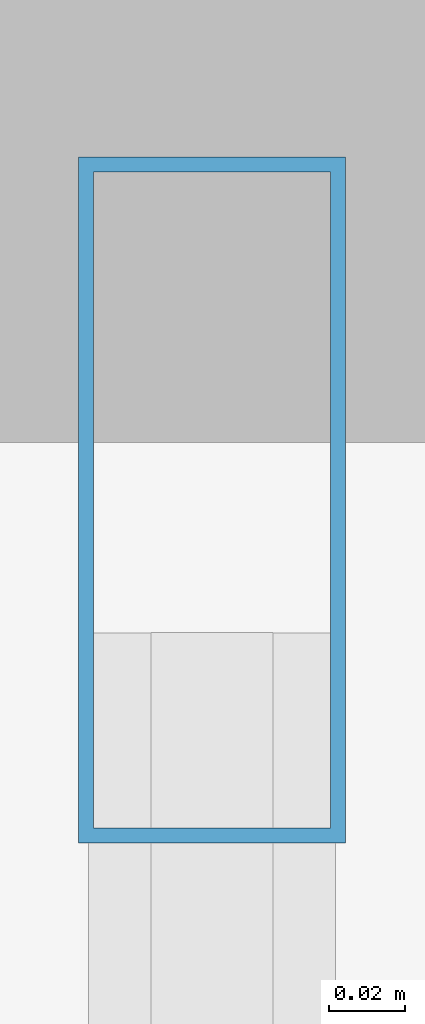
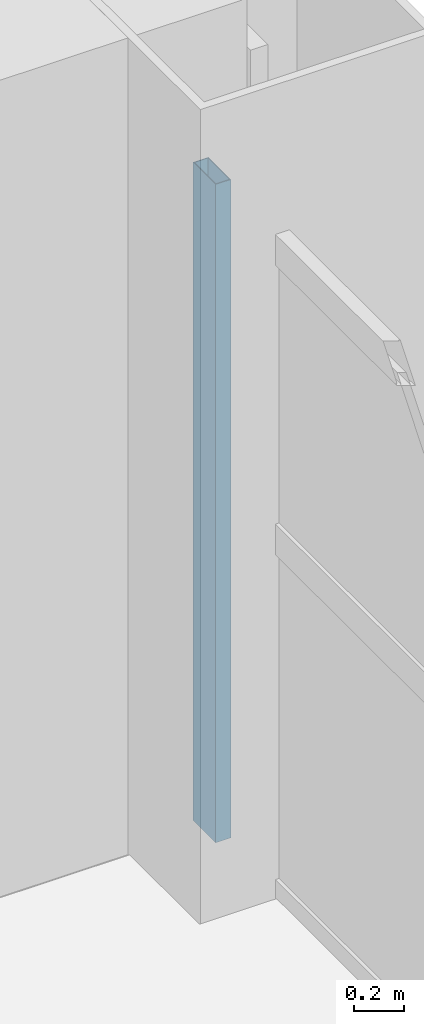
# One storey, part 10 of 16: 1 member, 1 element without a shape of its own.
"""IFC4 building model written with IfcOpenShell, lengths in metres."""

import ifcopenshell
import ifcopenshell.guid

model = None  # the IFC model being written
_history = None  # IfcOwnerHistory: only IFC2X3 demands one
_inside = {}  # id of a spatial element -> (the spatial element, [elements in it])
_under = {}  # id of a project, library or spatial element -> (it, [spatial elements below it])
_declared = {}  # id of a project -> (the project, [libraries it declares])
_typed = {}  # id of a type object -> (the type object, [elements of that type])
_made_of = {}  # id of a material, layer set ... -> (it, [elements and type objects made of it])


def new_model(schema):
    """Start an empty IFC model of exactly this schema.

    Asked for "IFC4X3", IfcOpenShell would pick the latest addendum, in which some entities
    have other attributes; the version numbers below select the first issue.
    IFC2X3 requires an IfcOwnerHistory on every rooted entity: one is made here for all.
    """
    global model, _history
    if schema == "IFC4X3":
        model = ifcopenshell.file(schema_version=(4, 3, 0, 0))
    else:
        model = ifcopenshell.file(schema=schema)
    _inside.clear()
    _under.clear()
    _declared.clear()
    _typed.clear()
    _made_of.clear()
    _history = None
    if model.schema == "IFC2X3":
        org = make("IfcOrganization", Name="unknown")
        user = make(
            "IfcPersonAndOrganization",
            ThePerson=make("IfcPerson", FamilyName="unknown"),
            TheOrganization=org,
        )
        app = make(
            "IfcApplication",
            ApplicationDeveloper=org,
            Version="unknown",
            ApplicationFullName="unknown",
            ApplicationIdentifier="unknown",
        )
        _history = make(
            "IfcOwnerHistory",
            OwningUser=user,
            OwningApplication=app,
            ChangeAction="ADDED",
            CreationDate=0,
        )
    return model


def make(cls, **values):
    """One entity of the class cls with the attributes given. An attribute that is None is left unset."""
    return model.create_entity(
        cls, **{name: value for name, value in values.items() if value is not None}
    )


def rooted(cls, **values):
    """An entity with a GlobalId (a new one), such as an element, a storey or a relation."""
    return make(cls, GlobalId=ifcopenshell.guid.new(), OwnerHistory=_history, **values)


def si_unit(unit_type, name, prefix=None):
    """IfcSIUnit, for example si_unit("LENGTHUNIT", "METRE", prefix="MILLI")."""
    return make("IfcSIUnit", UnitType=unit_type, Prefix=prefix, Name=name)


def assignment(units):
    """IfcUnitAssignment: the units of a project."""
    return None if units is None else make("IfcUnitAssignment", Units=units)


def point(xyz):
    """IfcCartesianPoint."""
    return None if xyz is None else make("IfcCartesianPoint", Coordinates=xyz)


def direction(xyz):
    """IfcDirection."""
    return None if xyz is None else make("IfcDirection", DirectionRatios=xyz)


def frame(location, z_axis=None, x_axis=None):
    """IfcAxis2Placement3D, a coordinate frame: its origin and axes. An axis left out is left unset."""
    return make(
        "IfcAxis2Placement3D",
        Location=point(location),
        Axis=direction(z_axis),
        RefDirection=direction(x_axis),
    )


def frame_2d(location, x_axis=None):
    """IfcAxis2Placement2D, a coordinate frame in the plane: its origin and x axis."""
    return make(
        "IfcAxis2Placement2D", Location=point(location), RefDirection=direction(x_axis)
    )


def origin():
    """The frame at (0, 0, 0) with its axes left unset."""
    return frame((0.0, 0.0, 0.0))


def origin_2d():
    """The frame at (0, 0) in the plane with its x axis left unset."""
    return frame_2d((0.0, 0.0))


def place(relative_to, where):
    """IfcLocalPlacement: puts the frame where relative to a parent placement (None: the world)."""
    return make(
        "IfcLocalPlacement", PlacementRelTo=relative_to, RelativePlacement=where
    )


def context(
    kind, dimensions, precision=None, world=None, true_north=None, identifier=None
):
    """IfcGeometricRepresentationContext, for example the 3D "Model" context."""
    return make(
        "IfcGeometricRepresentationContext",
        ContextIdentifier=identifier,
        ContextType=kind,
        CoordinateSpaceDimension=dimensions,
        Precision=precision,
        WorldCoordinateSystem=world,
        TrueNorth=true_north,
    )


def subcontext(parent, identifier, kind, view, scale=None):
    """IfcGeometricRepresentationSubContext, for example "Body" below "Model"."""
    return make(
        "IfcGeometricRepresentationSubContext",
        ContextIdentifier=identifier,
        ContextType=kind,
        ParentContext=parent,
        TargetScale=scale,
        TargetView=view,
    )


def project(units=None, contexts=None):
    """IfcProject with its units and contexts."""
    return rooted(
        "IfcProject",
        Name="project",
        RepresentationContexts=contexts,
        UnitsInContext=assignment(units),
    )


def spatial(cls, under=None, at=None, **own):
    """A site, building, storey or space (cls), placed at a placement, below another one or the project."""
    s = rooted(cls, ObjectPlacement=at, **own)
    if under is not None:
        _under.setdefault(under.id(), (under, []))[1].append(s)
    return s


def profile(cls, at=None, kind="AREA", **sizes):
    """A parametric profile (cls). Its sizes go by their IFC names, for example OverallWidth=200.0."""
    return make(cls, ProfileType=kind, Position=at, **sizes)


def hollow_rectangle(**sizes):
    """IfcRectangleHollowProfileDef."""
    return profile("IfcRectangleHollowProfileDef", **sizes)


def extrude(swept, where, along, depth):
    """IfcExtrudedAreaSolid: the profile swept, set in the frame where, extruded along a direction by depth."""
    return make(
        "IfcExtrudedAreaSolid",
        SweptArea=swept,
        Position=where,
        ExtrudedDirection=direction(along),
        Depth=depth,
    )


def shape(context_of_items, identifier, shape_type, items):
    """IfcShapeRepresentation: the items that make up one representation, for example the "Body"."""
    return make(
        "IfcShapeRepresentation",
        ContextOfItems=context_of_items,
        RepresentationIdentifier=identifier,
        RepresentationType=shape_type,
        Items=items,
    )


def material(Name=None, Category=None):
    """IfcMaterial."""
    return make("IfcMaterial", Name=Name, Category=Category)


def layer(
    of_material, thickness, ventilated=None, Name=None, Category=None, Priority=None
):
    """IfcMaterialLayer: one layer of a wall or slab, of a material (None: an air gap)."""
    return make(
        "IfcMaterialLayer",
        Material=of_material,
        LayerThickness=thickness,
        IsVentilated=ventilated,
        Name=Name,
        Category=Category,
        Priority=Priority,
    )


def layer_set(layers, Name=None):
    """IfcMaterialLayerSet."""
    return make("IfcMaterialLayerSet", MaterialLayers=layers, LayerSetName=Name)


def material_profile(
    of_material, cross_section, Name=None, Category=None, Priority=None
):
    """IfcMaterialProfile: a cross section and its material."""
    return make(
        "IfcMaterialProfile",
        Name=Name,
        Material=of_material,
        Profile=cross_section,
        Priority=Priority,
        Category=Category,
    )


def profile_set(profiles, Name=None, composite=None):
    """IfcMaterialProfileSet."""
    return make(
        "IfcMaterialProfileSet",
        Name=Name,
        MaterialProfiles=profiles,
        CompositeProfile=composite,
    )


def made_of(thing, what):
    """Note that an element or type object is made of a material, layer set ...; save() writes the relation."""
    if what is not None:
        _made_of.setdefault(what.id(), (what, []))[1].append(thing)
    return thing


def type_object(cls, material=None, **own):
    """A type object (cls), such as IfcWallType, which elements share."""
    return made_of(rooted(cls, **own), material)


def element(
    cls,
    number,
    at=None,
    inside=None,
    cuts=None,
    type_object=None,
    material=None,
    context=None,
    identifier="Body",
    shape_type=None,
    held_by="IfcProductDefinitionShape",
    body=None,
    shapes=None,
    **own,
):
    """One element of the class cls, such as IfcWall. Its Tag is "e" and its number.

    at: its placement. inside: the storey or other place that contains it. cuts: it is an
    opening in that element (IfcRelVoidsElement). A single representation is given by context,
    identifier, shape_type and body (its items); several are given by shapes. held_by: the class
    of the entity that holds the representations. save() writes the other relations.
    """
    e = rooted(cls, Tag="e%d" % number, ObjectPlacement=at, **own)
    if body is not None:
        shapes = [shape(context, identifier, shape_type, body)]
    if shapes is not None:
        e.Representation = make(held_by, Representations=shapes)
    if inside is not None:
        _inside.setdefault(inside.id(), (inside, []))[1].append(e)
    if cuts is not None:
        rooted(
            "IfcRelVoidsElement", RelatingBuildingElement=cuts, RelatedOpeningElement=e
        )
    if type_object is not None:
        _typed.setdefault(type_object.id(), (type_object, []))[1].append(e)
    return made_of(e, material)


def aggregate(whole, parts):
    """IfcRelAggregates: a whole, such as a stair, and the parts it consists of."""
    return rooted("IfcRelAggregates", RelatingObject=whole, RelatedObjects=parts)


def save(model, path):
    """Write the relations noted so far, then the file.

    IfcRelAggregates (storeys below a building ...), IfcRelContainedInSpatialStructure (elements
    in a storey), IfcRelDefinesByType, IfcRelAssociatesMaterial and IfcRelDeclares: one each for
    every whole, place, type object, material and project.
    """
    for whole, parts in _under.values():
        aggregate(whole, parts)
    for where, things in _inside.values():
        rooted(
            "IfcRelContainedInSpatialStructure",
            RelatedElements=things,
            RelatingStructure=where,
        )
    for kind, things in _typed.values():
        rooted("IfcRelDefinesByType", RelatedObjects=things, RelatingType=kind)
    for what, things in _made_of.values():
        rooted("IfcRelAssociatesMaterial", RelatedObjects=things, RelatingMaterial=what)
    for by, libraries in _declared.values():
        rooted("IfcRelDeclares", RelatingContext=by, RelatedDefinitions=libraries)
    model.write(path)


model = new_model("IFC4")

# Units and contexts
model_context = context("Model", 3, precision=1e-05, world=origin(), true_north=direction((0.0, 1.0)))
body_context = subcontext(model_context, "Body", "Model", "MODEL_VIEW")
ifc_project = project(units=[si_unit("LENGTHUNIT", "METRE"), si_unit("AREAUNIT", "SQUARE_METRE"), si_unit("VOLUMEUNIT", "CUBIC_METRE"), si_unit("PLANEANGLEUNIT", "RADIAN"), si_unit("MASSUNIT", "GRAM", prefix="KILO")], contexts=[model_context])

# Site, building, storey
site_placement = place(None, origin())
site = spatial("IfcSite", under=ifc_project, at=site_placement, CompositionType="ELEMENT")
building_placement = place(site_placement, origin())
building = spatial("IfcBuilding", under=site, at=building_placement, Name="Qianrong Seaharbour Tower", CompositionType="ELEMENT")
storey_placement = place(building_placement, frame((0.0, 0.0, 123.0)))
storey = spatial("IfcBuildingStorey", under=building, at=storey_placement, Name="L29", CompositionType="ELEMENT", Elevation=123.0)

# Curtain wall, member
ifc_material_1 = material(Name="Anodised aluminium 6063-T6 and laminated low-e glass", Category="aluminium")
ifc_layer = layer(ifc_material_1, 0.195068359375)
ifc_layer_set = layer_set([ifc_layer], Name="Anodised aluminium 6063-T6 and laminated low-e glass")
curtain_wall_type = type_object("IfcCurtainWallType", Name="CW-SYS-3", PredefinedType="NOTDEFINED", material=ifc_layer_set)
curtain_wall_placement = place(storey_placement, origin())
curtain_wall = element("IfcCurtainWall", 1, at=curtain_wall_placement, inside=storey, type_object=curtain_wall_type, Name="L29 Sky-Garden Wintergarden Curtain Wall EAST_WING", PredefinedType="NOTDEFINED")
ifc_material_2 = material(Name="Extruded aluminium 6063-T6", Category="aluminium")
ifc_material_profile = material_profile(ifc_material_2, hollow_rectangle(XDim=0.070068359375, YDim=0.179931640625, WallThickness=0.00390625, at=origin_2d()), Name="ALU-MUL-180x70x4")
ifc_profile_set = profile_set([ifc_material_profile], Name="Extruded aluminium 6063-T6")
member_type = type_object("IfcMemberType", Name="CW-MUL-180", PredefinedType="MULLION", material=ifc_profile_set)
member_placement = place(storey_placement, frame((63.830078125, 36.014892578125, 0.0), z_axis=(0.0, 0.0, 1.0), x_axis=(1.0, 0.0, 0.0)))
member = element("IfcMember", 2, at=member_placement, type_object=member_type, Name="CW-3 mullion 1", PredefinedType="MULLION", context=body_context, shape_type="SweptSolid", body=[
    extrude(hollow_rectangle(XDim=0.070068359375, YDim=0.179931640625, WallThickness=0.00390625, at=origin_2d()), origin(), (0.0, 0.0, 1.0), 3.22509765625),
])
aggregate(curtain_wall, [member])

save(model, "model.ifc")
